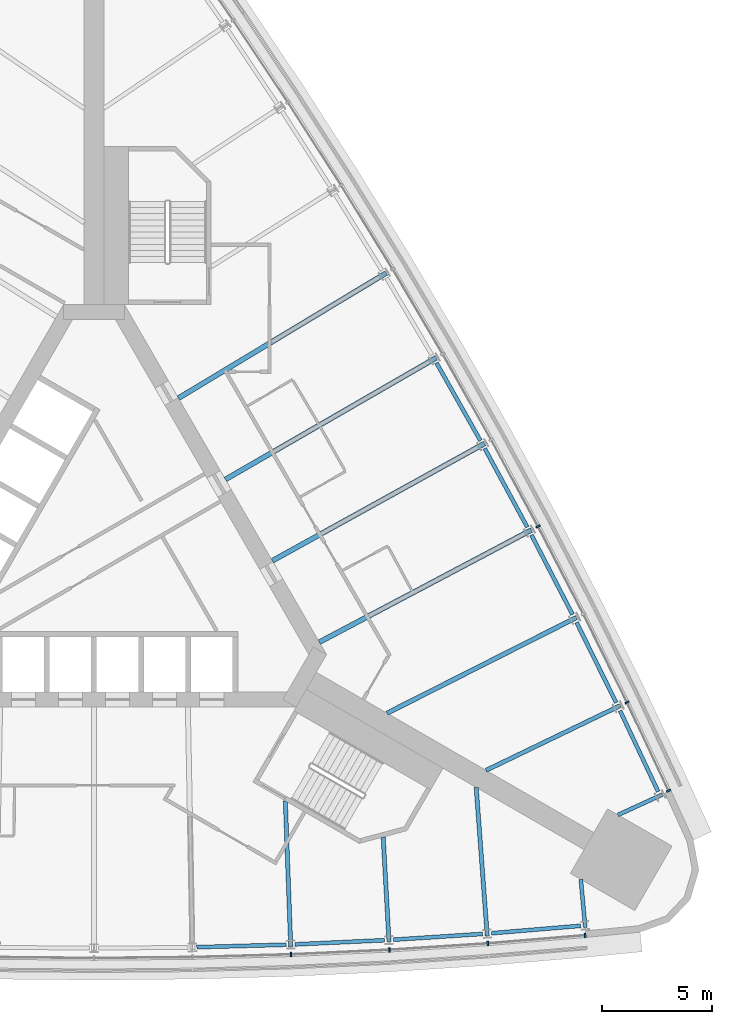
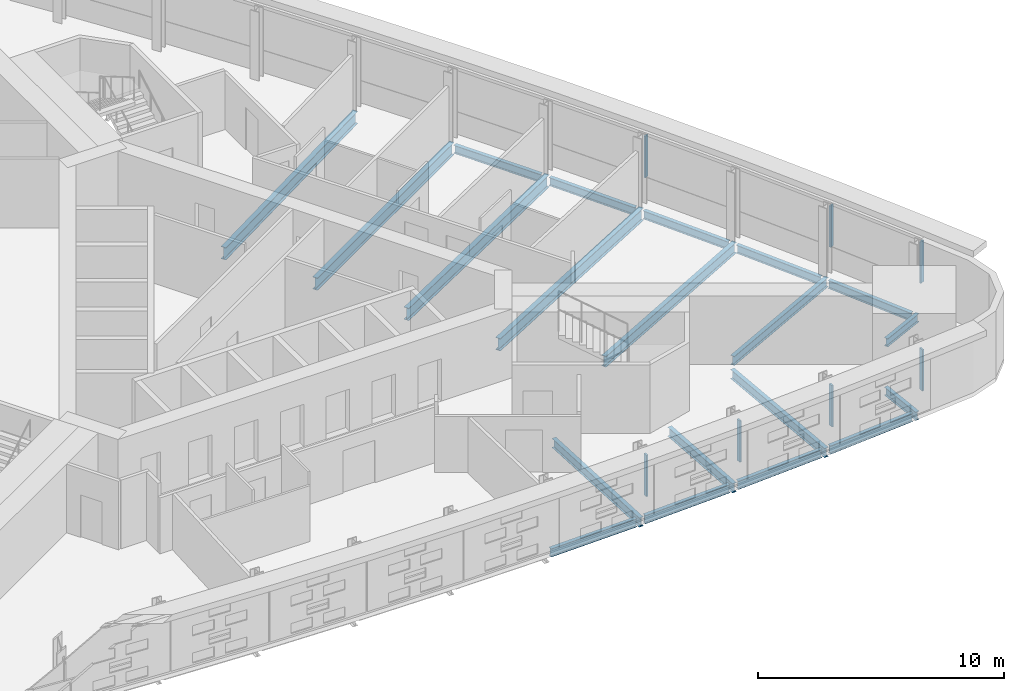
# One storey, part 6 of 15: 20 beams, 7 members, 2 elements without a shape of their own.
"""IFC4 building model written with IfcOpenShell, lengths in metres."""

from ifc_helpers import new_model, si_unit, direction, frame, origin, origin_2d, place, context, subcontext, project, spatial, rectangle, i_section, extrude, material, material_profile, profile_set, type_object, element, aggregate, save


model = new_model("IFC4")

# Units and contexts
model_context = context("Model", 3, precision=1e-05, world=origin(), true_north=direction((0.0, 1.0)))
body_context = subcontext(model_context, "Body", "Model", "MODEL_VIEW")
ifc_project = project(units=[si_unit("LENGTHUNIT", "METRE"), si_unit("AREAUNIT", "SQUARE_METRE"), si_unit("VOLUMEUNIT", "CUBIC_METRE"), si_unit("PLANEANGLEUNIT", "RADIAN"), si_unit("MASSUNIT", "GRAM", prefix="KILO")], contexts=[model_context])

# Site, building, storey
site_placement = place(None, origin())
site = spatial("IfcSite", under=ifc_project, at=site_placement, CompositionType="ELEMENT")
building_placement = place(site_placement, origin())
building = spatial("IfcBuilding", under=site, at=building_placement, Name="Noor Cloister Tower", CompositionType="ELEMENT")
storey_placement = place(building_placement, frame((0.0, 0.0, 31.199951171875)))
storey = spatial("IfcBuildingStorey", under=building, at=storey_placement, Name="L07", CompositionType="ELEMENT", Elevation=31.199951171875)

# Curtain wall, members
ifc_material_1 = material(Name="Aluminium 6063-T6 anodised", Category="aluminium")
curtain_wall_type = type_object("IfcCurtainWallType", Name="Ribbon curtain wall, lower tower CW1", PredefinedType="NOTDEFINED", material=ifc_material_1)
curtain_wall_1_placement = place(storey_placement, origin())
curtain_wall_1 = element("IfcCurtainWall", 1, at=curtain_wall_1_placement, inside=storey, type_object=curtain_wall_type, Name="CW1 L07 S run 2", PredefinedType="NOTDEFINED")
ifc_material_2 = material(Name="Aluminium 6063-T6 anodised", Category="aluminium")
ifc_material_profile_1 = material_profile(ifc_material_2, rectangle(XDim=0.199951171875, YDim=0.080078125, at=origin_2d()), Name="200 x 80 mullion")
ifc_profile_set_1 = profile_set([ifc_material_profile_1], Name="Aluminium 6063-T6 anodised")
member_type = type_object("IfcMemberType", Name="Mullion CW1 80 x 200", PredefinedType="MULLION", material=ifc_profile_set_1)
member_1_placement = place(storey_placement, frame((8.994140625, -18.21630859375, 1.10009765625), z_axis=(0.0, 0.0, 1.0), x_axis=(-0.037099278712, 0.999311584802, 0.0)))
member_1 = element("IfcMember", 2, at=member_1_placement, type_object=member_type, Name="CW1 mullion 8", PredefinedType="MULLION", context=body_context, shape_type="SweptSolid", body=[
    extrude(rectangle(XDim=0.199951171875, YDim=0.080078125, at=origin_2d()), origin(), (0.0, 0.0, 1.0), 2.050048828125),
])
member_2_placement = place(storey_placement, frame((13.487548828125, -18.007568359375, 1.10009765625), z_axis=(0.0, 0.0, 1.0), x_axis=(-0.055632953827, 0.99845128797, 0.0)))
member_2 = element("IfcMember", 3, at=member_2_placement, type_object=member_type, Name="CW1 mullion 9", PredefinedType="MULLION", context=body_context, shape_type="SweptSolid", body=[
    extrude(rectangle(XDim=0.199951171875, YDim=0.080078125, at=origin_2d()), origin(), (0.0, 0.0, 1.0), 2.050048828125),
])
member_3_placement = place(storey_placement, frame((17.97607421875, -17.7158203125, 1.10009765625), z_axis=(0.0, 0.0, 1.0), x_axis=(-0.074147478009, 0.997247287038, 0.0)))
member_3 = element("IfcMember", 4, at=member_3_placement, type_object=member_type, Name="CW1 mullion 10", PredefinedType="MULLION", context=body_context, shape_type="SweptSolid", body=[
    extrude(rectangle(XDim=0.199951171875, YDim=0.080078125, at=origin_2d()), origin(), (0.0, 0.0, 1.0), 2.050048828125),
])
member_4_placement = place(storey_placement, frame((22.41943359375, -17.343994140625, 1.10009765625), z_axis=(0.0, 0.0, 1.0), x_axis=(-0.083395566498, 0.996516522436, 0.0)))
member_4 = element("IfcMember", 5, at=member_4_placement, type_object=member_type, Name="CW1 mullion 11", PredefinedType="MULLION", context=body_context, shape_type="SweptSolid", body=[
    extrude(rectangle(XDim=0.199951171875, YDim=0.080078125, at=origin_2d()), origin(), (0.0, 0.0, 1.0), 2.050048828125),
])
aggregate(curtain_wall_1, [member_1, member_2, member_3, member_4])

curtain_wall_2_placement = place(storey_placement, origin())
curtain_wall_2 = element("IfcCurtainWall", 6, at=curtain_wall_2_placement, inside=storey, type_object=curtain_wall_type, Name="CW1 L07 NE run 3", PredefinedType="NOTDEFINED")
member_5_placement = place(storey_placement, frame((26.22998046875, -10.743896484375, 1.10009765625), z_axis=(0.0, 0.0, 1.0), x_axis=(-0.90470640697, -0.426035582068, 0.0)))
member_5 = element("IfcMember", 7, at=member_5_placement, type_object=member_type, Name="CW1 mullion 1", PredefinedType="MULLION", context=body_context, shape_type="SweptSolid", body=[
    extrude(rectangle(XDim=0.199951171875, YDim=0.080078125, at=origin_2d()), origin(), (0.0, 0.0, 1.0), 2.050048828125),
])
member_6_placement = place(storey_placement, frame((24.330322265625, -6.709716796875, 1.10009765625), z_axis=(0.0, 0.0, 1.0), x_axis=(-0.900715223435, -0.434410043937, 0.0)))
member_6 = element("IfcMember", 8, at=member_6_placement, type_object=member_type, Name="CW1 mullion 2", PredefinedType="MULLION", context=body_context, shape_type="SweptSolid", body=[
    extrude(rectangle(XDim=0.199951171875, YDim=0.080078125, at=origin_2d()), origin(), (0.0, 0.0, 1.0), 2.050048828125),
])
member_7_placement = place(storey_placement, frame((20.27294921875, 1.31884765625, 1.10009765625), z_axis=(0.0, 0.0, 1.0), x_axis=(-0.88397885809, -0.467526874574, 0.0)))
member_7 = element("IfcMember", 9, at=member_7_placement, type_object=member_type, Name="CW1 mullion 4", PredefinedType="MULLION", context=body_context, shape_type="SweptSolid", body=[
    extrude(rectangle(XDim=0.199951171875, YDim=0.080078125, at=origin_2d()), origin(), (0.0, 0.0, 1.0), 2.050048828125),
])
aggregate(curtain_wall_2, [member_5, member_6, member_7])

# Beams
ifc_material_3 = material(Name="Steel ASTM A992 Gr 50", Category="steel")
ifc_material_profile_2 = material_profile(ifc_material_3, i_section(OverallWidth=0.177978515625, OverallDepth=0.406005859375, WebThickness=0.0078125, FlangeThickness=0.0126953125, FilletRadius=0.01025390625, at=origin_2d()), Name="W410x60")
ifc_profile_set_2 = profile_set([ifc_material_profile_2], Name="Steel ASTM A992 Gr 50")
beam_type_1 = type_object("IfcBeamType", Name="Radial beam W410x60", PredefinedType="BEAM", material=ifc_profile_set_2)
for number, where, z_axis, x_axis, name in (
    (10, (22.42578125, -16.9892578125, -0.40283203125), (-0.092620817563, 0.995701453325, 0.0), (-0.995701453325, -0.092620817563, 0.0), "Radial beam S 11 L07"),
    (11, (25.926025390625, -10.9267578125, -0.40283203125), (-0.908618969654, -0.417626110276, 0.0), (0.417626110276, -0.908618969654, 0.0), "Radial beam NE 01 L07"),
):
    element("IfcBeam", number, at=place(storey_placement, frame(where, z_axis=z_axis, x_axis=x_axis)), inside=storey, type_object=beam_type_1, Name=name, PredefinedType="BEAM", context=body_context, shape_type="SweptSolid", body=[
        extrude(i_section(OverallWidth=0.177978515625, OverallDepth=0.406005859375, WebThickness=0.0078125, FlangeThickness=0.0126953125, FilletRadius=0.01025390625, at=origin_2d()), origin(), (0.0, 0.0, 1.0), 2.206298828125),
    ])
ifc_material_4 = material(Name="Steel ASTM A992 Gr 50", Category="steel")
ifc_material_profile_3 = material_profile(ifc_material_4, i_section(OverallWidth=0.19091796875, OverallDepth=0.45703125, WebThickness=0.009033203125, FlangeThickness=0.014404296875, FilletRadius=0.01025390625, at=origin_2d()), Name="W460x74")
ifc_profile_set_3 = profile_set([ifc_material_profile_3], Name="Steel ASTM A992 Gr 50")
beam_type_2 = type_object("IfcBeamType", Name="Radial beam W460x74", PredefinedType="BEAM", material=ifc_profile_set_3)
beam_1_placement = place(storey_placement, frame((8.981201171875, -17.863525390625, -0.428466796875), z_axis=(-0.037109214476, 0.999311215889, 0.0), x_axis=(-0.999311215889, -0.037109214476, 0.0)))
element("IfcBeam", 12, at=beam_1_placement, inside=storey, type_object=beam_type_2, Name="Radial beam S 08 L07", PredefinedType="BEAM", context=body_context, shape_type="SweptSolid", body=[
    extrude(i_section(OverallWidth=0.19091796875, OverallDepth=0.45703125, WebThickness=0.009033203125, FlangeThickness=0.014404296875, FilletRadius=0.01025390625, at=origin_2d()), origin(), (0.0, 0.0, 1.0), 6.66455078125),
])
beam_2_placement = place(storey_placement, frame((13.4677734375, -17.6552734375, -0.428466796875), z_axis=(-0.055605018021, 0.99845284414, 0.0), x_axis=(-0.99845284414, -0.055605018021, 0.0)))
element("IfcBeam", 13, at=beam_2_placement, inside=storey, type_object=beam_type_2, Name="Radial beam S 09 L07", PredefinedType="BEAM", context=body_context, shape_type="SweptSolid", body=[
    extrude(i_section(OverallWidth=0.19091796875, OverallDepth=0.45703125, WebThickness=0.009033203125, FlangeThickness=0.014404296875, FilletRadius=0.01025390625, at=origin_2d()), origin(), (0.0, 0.0, 1.0), 4.8076171875),
])
beam_3_placement = place(storey_placement, frame((17.949951171875, -17.36376953125, -0.428466796875), z_axis=(-0.074139211608, 0.997247901628, 0.0), x_axis=(-0.997247901628, -0.074139211608, 0.0)))
element("IfcBeam", 14, at=beam_3_placement, inside=storey, type_object=beam_type_2, Name="Radial beam S 10 L07", PredefinedType="BEAM", context=body_context, shape_type="SweptSolid", body=[
    extrude(i_section(OverallWidth=0.19091796875, OverallDepth=0.45703125, WebThickness=0.009033203125, FlangeThickness=0.014404296875, FilletRadius=0.01025390625, at=origin_2d()), origin(), (0.0, 0.0, 1.0), 6.790283203125),
])
beam_4_placement = place(storey_placement, frame((24.012451171875, -6.86328125, -0.428466796875), z_axis=(-0.900714671777, -0.434411187753, 0.0), x_axis=(0.434411187753, -0.900714671777, 0.0)))
element("IfcBeam", 15, at=beam_4_placement, inside=storey, type_object=beam_type_2, Name="Radial beam NE 02 L07", PredefinedType="BEAM", context=body_context, shape_type="SweptSolid", body=[
    extrude(i_section(OverallWidth=0.19091796875, OverallDepth=0.45703125, WebThickness=0.009033203125, FlangeThickness=0.014404296875, FilletRadius=0.01025390625, at=origin_2d()), origin(), (0.0, 0.0, 1.0), 6.7900390625),
])
ifc_material_5 = material(Name="Steel ASTM A992 Gr 50", Category="steel")
ifc_material_profile_4 = material_profile(ifc_material_5, i_section(OverallWidth=0.208984375, OverallDepth=0.532958984375, WebThickness=0.01025390625, FlangeThickness=0.015625, FilletRadius=0.0126953125, at=origin_2d()), Name="W530x92")
ifc_profile_set_4 = profile_set([ifc_material_profile_4], Name="Steel ASTM A992 Gr 50")
beam_type_3 = type_object("IfcBeamType", Name="Radial beam W530x92", PredefinedType="BEAM", material=ifc_profile_set_4)
beam_5_placement = place(storey_placement, frame((22.023681640625, -2.8359375, -0.466552734375), z_axis=(-0.892498290235, -0.451050775333, 0.0), x_axis=(0.451050775333, -0.892498290235, 0.0)))
element("IfcBeam", 16, at=beam_5_placement, inside=storey, type_object=beam_type_3, Name="Radial beam NE 03 L07", PredefinedType="BEAM", context=body_context, shape_type="SweptSolid", body=[
    extrude(i_section(OverallWidth=0.208984375, OverallDepth=0.532958984375, WebThickness=0.01025390625, FlangeThickness=0.015625, FilletRadius=0.0126953125, at=origin_2d()), origin(), (0.0, 0.0, 1.0), 9.68603515625),
])
ifc_material_6 = material(Name="Steel ASTM A992 Gr 50", Category="steel")
ifc_material_profile_5 = material_profile(ifc_material_6, i_section(OverallWidth=0.22900390625, OverallDepth=0.612060546875, WebThickness=0.011962890625, FlangeThickness=0.01953125, FilletRadius=0.0126953125, at=origin_2d()), Name="W610x125")
ifc_profile_set_5 = profile_set([ifc_material_profile_5], Name="Steel ASTM A992 Gr 50")
beam_type_4 = type_object("IfcBeamType", Name="Radial beam W610x125", PredefinedType="BEAM", material=ifc_profile_set_5)
beam_6_placement = place(storey_placement, frame((19.960693359375, 1.15380859375, -0.505859375), z_axis=(-0.88397995674, -0.467524797291, 0.0), x_axis=(0.467524797291, -0.88397995674, 0.0)))
element("IfcBeam", 17, at=beam_6_placement, inside=storey, type_object=beam_type_4, Name="Radial beam NE 04 L07", PredefinedType="BEAM", context=body_context, shape_type="SweptSolid", body=[
    extrude(i_section(OverallWidth=0.22900390625, OverallDepth=0.612060546875, WebThickness=0.011962890625, FlangeThickness=0.01953125, FilletRadius=0.0126953125, at=origin_2d()), origin(), (0.0, 0.0, 1.0), 10.942626953125),
])
beam_7_placement = place(storey_placement, frame((17.82421875, 5.104736328125, -0.505859375), z_axis=(-0.875148581024, -0.483854276753, 0.0), x_axis=(0.483854276753, -0.875148581024, 0.0)))
element("IfcBeam", 18, at=beam_7_placement, inside=storey, type_object=beam_type_4, Name="Radial beam NE 05 L07", PredefinedType="BEAM", context=body_context, shape_type="SweptSolid", body=[
    extrude(i_section(OverallWidth=0.22900390625, OverallDepth=0.612060546875, WebThickness=0.011962890625, FlangeThickness=0.01953125, FilletRadius=0.0126953125, at=origin_2d()), origin(), (0.0, 0.0, 1.0), 11.062255859375),
])
beam_8_placement = place(storey_placement, frame((15.614501953125, 9.01513671875, -0.505859375), z_axis=(-0.86602188956, -0.500006086766, 0.0), x_axis=(0.500006086766, -0.86602188956, 0.0)))
element("IfcBeam", 19, at=beam_8_placement, inside=storey, type_object=beam_type_4, Name="Radial beam NE 06 L07", PredefinedType="BEAM", context=body_context, shape_type="SweptSolid", body=[
    extrude(i_section(OverallWidth=0.22900390625, OverallDepth=0.612060546875, WebThickness=0.011962890625, FlangeThickness=0.01953125, FilletRadius=0.0126953125, at=origin_2d()), origin(), (0.0, 0.0, 1.0), 11.101806640625),
])
beam_9_placement = place(storey_placement, frame((13.332763671875, 12.8837890625, -0.505859375), z_axis=(-0.856603654805, -0.515974978633, 0.0), x_axis=(0.515974978633, -0.856603654805, 0.0)))
element("IfcBeam", 20, at=beam_9_placement, inside=storey, type_object=beam_type_4, Name="Radial beam NE 07 L07", PredefinedType="BEAM", context=body_context, shape_type="SweptSolid", body=[
    extrude(i_section(OverallWidth=0.22900390625, OverallDepth=0.612060546875, WebThickness=0.011962890625, FlangeThickness=0.01953125, FilletRadius=0.0126953125, at=origin_2d()), origin(), (0.0, 0.0, 1.0), 11.06201171875),
])
ifc_material_7 = material(Name="Steel ASTM A992 Gr 50", Category="steel")
ifc_material_profile_6 = material_profile(ifc_material_7, i_section(OverallWidth=0.177978515625, OverallDepth=0.406005859375, WebThickness=0.0078125, FlangeThickness=0.0126953125, FilletRadius=0.01025390625, at=origin_2d()), Name="W410x60")
ifc_profile_set_6 = profile_set([ifc_material_profile_6], Name="Steel ASTM A992 Gr 50")
beam_type_5 = type_object("IfcBeamType", Name="Spandrel beam W410x60", PredefinedType="SPANDREL", material=ifc_profile_set_6)
beam_10_placement = place(storey_placement, frame((4.69140625, -17.885986328125, -0.40283203125), z_axis=(0.999612252306, 0.027845018206, 0.0), x_axis=(-0.027845018206, 0.999612252306, 0.0)))
element("IfcBeam", 21, at=beam_10_placement, inside=storey, type_object=beam_type_5, Name="Spandrel beam S 07 L07", PredefinedType="SPANDREL", context=body_context, shape_type="SweptSolid", body=[
    extrude(i_section(OverallWidth=0.177978515625, OverallDepth=0.406005859375, WebThickness=0.0078125, FlangeThickness=0.0126953125, FilletRadius=0.01025390625, at=origin_2d()), origin(), (0.0, 0.0, 1.0), 4.085693359375),
])
beam_11_placement = place(storey_placement, frame((9.17919921875, -17.75732421875, -0.40283203125), z_axis=(0.998924467055, 0.04636711248, 0.0), x_axis=(-0.04636711248, 0.998924467055, 0.0)))
element("IfcBeam", 22, at=beam_11_placement, inside=storey, type_object=beam_type_5, Name="Spandrel beam S 08 L07", PredefinedType="SPANDREL", context=body_context, shape_type="SweptSolid", body=[
    extrude(i_section(OverallWidth=0.177978515625, OverallDepth=0.406005859375, WebThickness=0.0078125, FlangeThickness=0.0126953125, FilletRadius=0.01025390625, at=origin_2d()), origin(), (0.0, 0.0, 1.0), 4.0859375),
])
for number, where, z_axis, x_axis, name in (
    (23, (13.6640625, -17.545166015625, -0.40283203125), (0.997892236224, 0.064892872368, 0.0), (-0.064892872368, 0.997892236224, 0.0), "Spandrel beam S 09 L07"),
    (24, (18.14404296875, -17.250244140625, -0.40283203125), (0.99651478207, 0.083416360003, 0.0), (-0.083416360003, 0.99651478207, 0.0), "Spandrel beam S 10 L07"),
    (25, (25.751708984375, -10.784423828125, -0.40283203125), (-0.426056015387, 0.904696784427, 0.0), (-0.904696784427, -0.426056015387, 0.0), "Spandrel beam NE 01 L07"),
    (26, (23.835693359375, -6.72412109375, -0.40283203125), (-0.442786243303, 0.896627203882, 0.0), (-0.896627203882, -0.442786243303, 0.0), "Spandrel beam NE 02 L07"),
):
    element("IfcBeam", number, at=place(storey_placement, frame(where, z_axis=z_axis, x_axis=x_axis)), inside=storey, type_object=beam_type_5, Name=name, PredefinedType="SPANDREL", context=body_context, shape_type="SweptSolid", body=[
        extrude(i_section(OverallWidth=0.177978515625, OverallDepth=0.406005859375, WebThickness=0.0078125, FlangeThickness=0.0126953125, FilletRadius=0.01025390625, at=origin_2d()), origin(), (0.0, 0.0, 1.0), 4.085693359375),
    ])
for number, where, z_axis, x_axis, name in (
    (27, (21.844482421875, -2.7001953125, -0.40283203125), (-0.459314005258, 0.888273969321, 0.0), (-0.888273969321, -0.459314005258, 0.0), "Spandrel beam NE 03 L07"),
    (28, (19.779052734375, 1.2861328125, -0.40283203125), (-0.475688243293, 0.879613946679, 0.0), (-0.879613946679, -0.475688243293, 0.0), "Spandrel beam NE 04 L07"),
):
    element("IfcBeam", number, at=place(storey_placement, frame(where, z_axis=z_axis, x_axis=x_axis)), inside=storey, type_object=beam_type_5, Name=name, PredefinedType="SPANDREL", context=body_context, shape_type="SweptSolid", body=[
        extrude(i_section(OverallWidth=0.177978515625, OverallDepth=0.406005859375, WebThickness=0.0078125, FlangeThickness=0.0126953125, FilletRadius=0.01025390625, at=origin_2d()), origin(), (0.0, 0.0, 1.0), 4.0859375),
    ])
beam_12_placement = place(storey_placement, frame((17.639892578125, 5.233642578125, -0.40283203125), z_axis=(-0.491956835416, 0.870619590916, 0.0), x_axis=(-0.870619590916, -0.491956835416, 0.0)))
element("IfcBeam", 29, at=beam_12_placement, inside=storey, type_object=beam_type_5, Name="Spandrel beam NE 05 L07", PredefinedType="SPANDREL", context=body_context, shape_type="SweptSolid", body=[
    extrude(i_section(OverallWidth=0.177978515625, OverallDepth=0.406005859375, WebThickness=0.0078125, FlangeThickness=0.0126953125, FilletRadius=0.01025390625, at=origin_2d()), origin(), (0.0, 0.0, 1.0), 4.085693359375),
])

save(model, "model.ifc")
